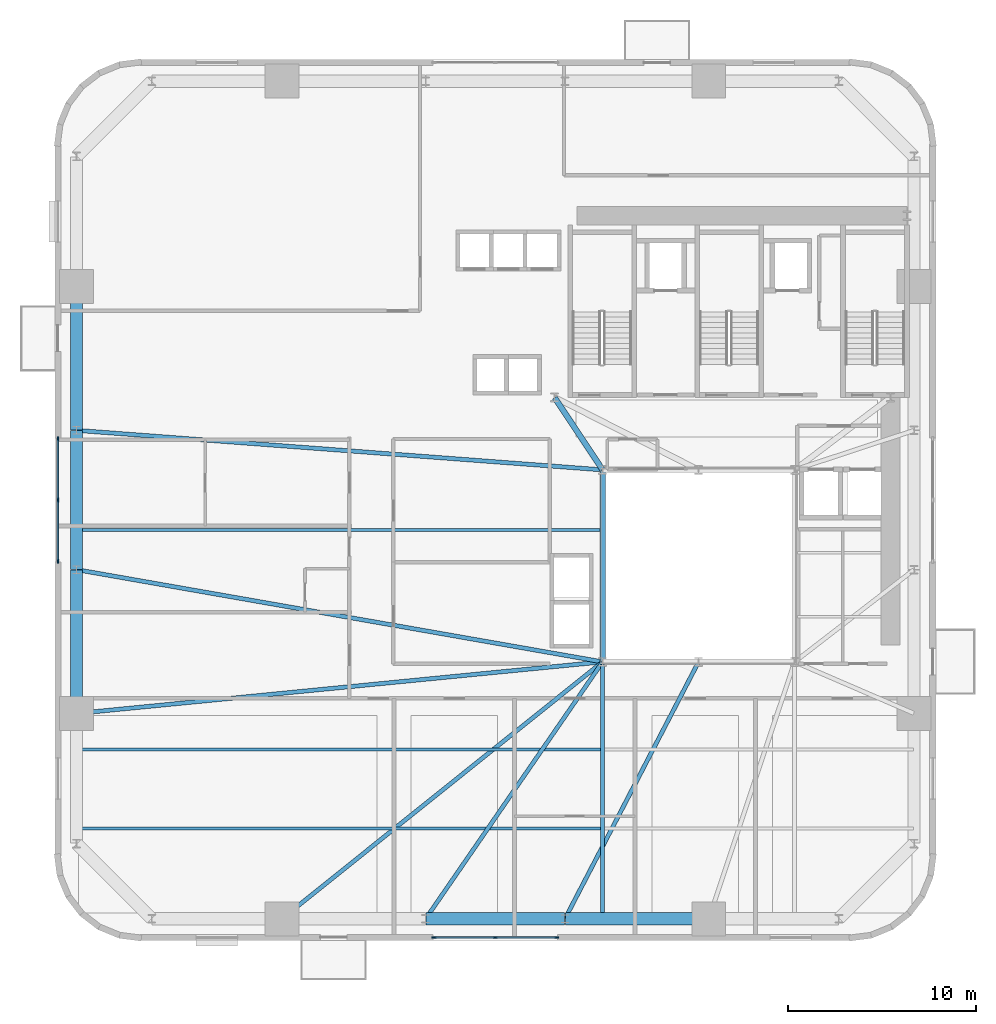
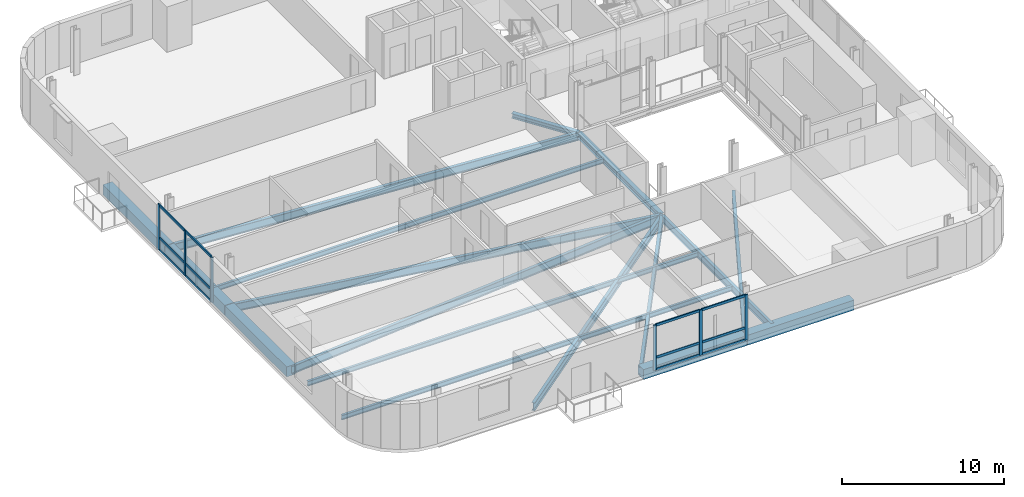
# One storey, part 2 of 13: 18 members, 17 beams, 2 elements without a shape of their own.
"""IFC4 building model written with IfcOpenShell, lengths in metres."""

from ifc_helpers import new_model, si_unit, direction, frame, origin, origin_2d, place, context, subcontext, project, spatial, rectangle, i_section, extrude, source, transform, mapped, material, material_profile, profile_set, type_object, element, aggregate, save


model = new_model("IFC4")

# Units and contexts
model_context = context("Model", 3, precision=1e-05, world=origin(), true_north=direction((0.0, 1.0)))
body_context = subcontext(model_context, "Body", "Model", "MODEL_VIEW")
ifc_project = project(units=[si_unit("LENGTHUNIT", "METRE"), si_unit("AREAUNIT", "SQUARE_METRE"), si_unit("VOLUMEUNIT", "CUBIC_METRE"), si_unit("PLANEANGLEUNIT", "RADIAN"), si_unit("MASSUNIT", "GRAM", prefix="KILO")], contexts=[model_context])

# Site, building, storey
site_placement = place(None, origin())
site = spatial("IfcSite", under=ifc_project, at=site_placement, CompositionType="ELEMENT")
building_placement = place(site_placement, origin())
building = spatial("IfcBuilding", under=site, at=building_placement, Name="Vardaveli Station Tower", CompositionType="ELEMENT")
storey_placement = place(building_placement, frame((0.0, 0.0, 31.25)))
storey = spatial("IfcBuildingStorey", under=building, at=storey_placement, Name="L07", CompositionType="ELEMENT", Elevation=31.25)

# Beams
ifc_material_1 = material(Name="Structural steel S355J2", Category="steel")
ifc_material_profile_1 = material_profile(ifc_material_1, i_section(OverallWidth=0.300048828125, OverallDepth=0.449951171875, WebThickness=0.013916015625, FlangeThickness=0.02587890625, FilletRadius=0.027099609375, at=origin_2d()), Name="HEB 450")
ifc_profile_set_1 = profile_set([ifc_material_profile_1], Name="Structural steel S355J2")
beam_type_1 = type_object("IfcBeamType", Name="BM-HEB450", PredefinedType="BEAM", material=ifc_profile_set_1)
shared_shape_1 = source(origin(), body_context, "Body", "SweptSolid", [
    extrude(i_section(OverallWidth=0.300048828125, OverallDepth=0.449951171875, WebThickness=0.013916015625, FlangeThickness=0.02587890625, FilletRadius=0.027099609375, at=origin_2d()), origin(), (0.0, 0.0, 1.0), 10.159912109375),
])
beam_1_placement = place(storey_placement, frame((31.199951171875, 26.780029296875, -0.465087890625), z_axis=(0.0, -1.0, 0.0), x_axis=(1.0, 0.0, 0.0)))
element("IfcBeam", 1, at=beam_1_placement, inside=storey, type_object=beam_type_1, Name="ABM-L07-06", PredefinedType="BEAM", context=body_context, shape_type="MappedRepresentation", body=[
    mapped(shared_shape_1, transform((0.0, 0.0, 0.0), scale=1.0)),
])
ifc_material_profile_2 = material_profile(ifc_material_1, i_section(OverallWidth=0.300048828125, OverallDepth=0.360107421875, WebThickness=0.012451171875, FlangeThickness=0.0224609375, FilletRadius=0.027099609375, at=origin_2d()), Name="HEB 360")
ifc_profile_set_2 = profile_set([ifc_material_profile_2], Name="Structural steel S355J2")
beam_type_2 = type_object("IfcBeamType", Name="BM-HEB360", PredefinedType="BEAM", material=ifc_profile_set_2)
shared_shape_2 = source(origin(), body_context, "Body", "SweptSolid", [
    extrude(i_section(OverallWidth=0.300048828125, OverallDepth=0.360107421875, WebThickness=0.012451171875, FlangeThickness=0.0224609375, FilletRadius=0.027099609375, at=origin_2d()), origin(), (0.0, 0.0, 1.0), 4.577880859375),
])
beam_2_placement = place(storey_placement, frame((31.18896484375, 26.816650390625, -0.419921875), z_axis=(-0.55218702139, 0.833720272879, 0.0), x_axis=(-0.833720272879, -0.55218702139, 0.0)))
element("IfcBeam", 2, at=beam_2_placement, inside=storey, type_object=beam_type_2, Name="CBM-L07-01", PredefinedType="BEAM", context=body_context, shape_type="MappedRepresentation", body=[
    mapped(shared_shape_2, transform((0.0, 0.0, 0.0), scale=1.0)),
])
ifc_material_2 = material(Name="Precast concrete C45/55", Category="concrete")
ifc_material_profile_3 = material_profile(ifc_material_2, rectangle(XDim=0.64990234375, YDim=0.75, at=origin_2d()), Name="LPB 650x750")
ifc_profile_set_3 = profile_set([ifc_material_profile_3], Name="Precast concrete C45/55")
beam_type_3 = type_object("IfcBeamType", Name="BM-LPB-750", PredefinedType="BEAM", material=ifc_profile_set_3)
shared_shape_3 = source(origin(), body_context, "Body", "SweptSolid", [
    extrude(rectangle(XDim=0.64990234375, YDim=0.75, at=origin_2d()), origin(), (0.0, 0.0, 1.0), 7.60009765625),
])
for number, where, z_axis, x_axis, name in (
    (3, (29.219970703125, 2.949951171875, -0.614990234375), (1.0, 0.0, 0.0), (0.0, 1.0, 0.0), "RBM-L07-03"),
    (4, (3.25, 36.52001953125, -0.614990234375), (0.0, -1.0, 0.0), (1.0, 0.0, 0.0), "RBM-L07-19"),
    (5, (3.25, 21.47998046875, -0.614990234375), (0.0, -1.0, 0.0), (1.0, 0.0, 0.0), "RBM-L07-21"),
):
    element("IfcBeam", number, at=place(storey_placement, frame(where, z_axis=z_axis, x_axis=x_axis)), inside=storey, type_object=beam_type_3, Name=name, PredefinedType="BEAM", context=body_context, shape_type="MappedRepresentation", body=[
        mapped(shared_shape_3, transform((0.0, 0.0, 0.0), scale=1.0)),
    ])
shared_shape_4 = source(origin(), body_context, "Body", "SweptSolid", [
    extrude(rectangle(XDim=0.64990234375, YDim=0.75, at=origin_2d()), origin(), (0.0, 0.0, 1.0), 7.35986328125),
])
for number, where, z_axis, x_axis, name in (
    (6, (21.820068359375, 2.949951171875, -0.614990234375), (1.0, 0.0, 0.0), (0.0, 1.0, 0.0), "RBM-L07-02"),
    (7, (3.25, 28.8798828125, -0.614990234375), (0.0, -1.0, 0.0), (1.0, 0.0, 0.0), "RBM-L07-20"),
):
    element("IfcBeam", number, at=place(storey_placement, frame(where, z_axis=z_axis, x_axis=x_axis)), inside=storey, type_object=beam_type_3, Name=name, PredefinedType="BEAM", context=body_context, shape_type="MappedRepresentation", body=[
        mapped(shared_shape_4, transform((0.0, 0.0, 0.0), scale=1.0)),
    ])
ifc_material_profile_4 = material_profile(ifc_material_1, i_section(OverallWidth=0.219970703125, OverallDepth=0.60009765625, WebThickness=0.011962890625, FlangeThickness=0.01904296875, FilletRadius=0.02392578125, at=origin_2d()), Name="IPE 600")
ifc_profile_set_4 = profile_set([ifc_material_profile_4], Name="Structural steel S355J2")
beam_type_4 = type_object("IfcBeamType", Name="BM-IPE600", PredefinedType="BEAM", material=ifc_profile_set_4)
shared_shape_5 = source(origin(), body_context, "Body", "SweptSolid", [
    extrude(i_section(OverallWidth=0.219970703125, OverallDepth=0.60009765625, WebThickness=0.011962890625, FlangeThickness=0.01904296875, FilletRadius=0.02392578125, at=origin_2d()), origin(), (0.0, 0.0, 1.0), 21.793212890625),
])
beam_3_placement = place(storey_placement, frame((14.175537109375, 2.96240234375, -0.5400390625), z_axis=(0.780466445023, 0.625197671296, 0.0), x_axis=(-0.625197671296, 0.780466445023, 0.0)))
element("IfcBeam", 8, at=beam_3_placement, inside=storey, type_object=beam_type_4, Name="GBM-L07-01", PredefinedType="BEAM", context=body_context, shape_type="MappedRepresentation", body=[
    mapped(shared_shape_5, transform((0.0, 0.0, 0.0), scale=1.0)),
])
shared_shape_6 = source(origin(), body_context, "Body", "SweptSolid", [
    extrude(i_section(OverallWidth=0.219970703125, OverallDepth=0.60009765625, WebThickness=0.011962890625, FlangeThickness=0.01904296875, FilletRadius=0.02392578125, at=origin_2d()), origin(), (0.0, 0.0, 1.0), 16.533447265625),
])
beam_4_placement = place(storey_placement, frame((21.811279296875, 2.966552734375, -0.5400390625), z_axis=(0.567177272103, 0.823595739431, 0.0), x_axis=(-0.823595739431, 0.567177272103, 0.0)))
element("IfcBeam", 9, at=beam_4_placement, inside=storey, type_object=beam_type_4, Name="GBM-L07-02", PredefinedType="BEAM", context=body_context, shape_type="MappedRepresentation", body=[
    mapped(shared_shape_6, transform((0.0, 0.0, 0.0), scale=1.0)),
])
shared_shape_7 = source(origin(), body_context, "Body", "SweptSolid", [
    extrude(i_section(OverallWidth=0.219970703125, OverallDepth=0.60009765625, WebThickness=0.011962890625, FlangeThickness=0.01904296875, FilletRadius=0.02392578125, at=origin_2d()), origin(), (0.0, 0.0, 1.0), 15.34619140625),
])
beam_5_placement = place(storey_placement, frame((29.209228515625, 2.9677734375, -0.5400390625), z_axis=(0.461455420507, 0.887163398075, 0.0), x_axis=(-0.887163398075, 0.461455420507, 0.0)))
element("IfcBeam", 10, at=beam_5_placement, inside=storey, type_object=beam_type_4, Name="GBM-L07-03", PredefinedType="BEAM", context=body_context, shape_type="MappedRepresentation", body=[
    mapped(shared_shape_7, transform((0.0, 0.0, 0.0), scale=1.0)),
])
shared_shape_8 = source(origin(), body_context, "Body", "SweptSolid", [
    extrude(i_section(OverallWidth=0.219970703125, OverallDepth=0.60009765625, WebThickness=0.011962890625, FlangeThickness=0.01904296875, FilletRadius=0.02392578125, at=origin_2d()), origin(), (0.0, 0.0, 1.0), 27.98876953125),
])
beam_6_placement = place(storey_placement, frame((3.27001953125, 28.8984375, -0.5400390625), z_axis=(0.99718954315, -0.074920057611, 0.0), x_axis=(0.074920057611, 0.99718954315, 0.0)))
element("IfcBeam", 11, at=beam_6_placement, inside=storey, type_object=beam_type_4, Name="GBM-L07-08", PredefinedType="BEAM", context=body_context, shape_type="MappedRepresentation", body=[
    mapped(shared_shape_8, transform((0.0, 0.0, 0.0), scale=1.0)),
])
shared_shape_9 = source(origin(), body_context, "Body", "SweptSolid", [
    extrude(i_section(OverallWidth=0.219970703125, OverallDepth=0.60009765625, WebThickness=0.011962890625, FlangeThickness=0.01904296875, FilletRadius=0.02392578125, at=origin_2d()), origin(), (0.0, 0.0, 1.0), 28.33642578125),
])
beam_7_placement = place(storey_placement, frame((3.269775390625, 21.49658203125, -0.5400390625), z_axis=(0.984978267336, -0.172678350921, 0.0), x_axis=(0.172678350921, 0.984978267336, 0.0)))
element("IfcBeam", 12, at=beam_7_placement, inside=storey, type_object=beam_type_4, Name="GBM-L07-09", PredefinedType="BEAM", context=body_context, shape_type="MappedRepresentation", body=[
    mapped(shared_shape_9, transform((0.0, 0.0, 0.0), scale=1.0)),
])
shared_shape_10 = source(origin(), body_context, "Body", "SweptSolid", [
    extrude(i_section(OverallWidth=0.219970703125, OverallDepth=0.60009765625, WebThickness=0.011962890625, FlangeThickness=0.01904296875, FilletRadius=0.02392578125, at=origin_2d()), origin(), (0.0, 0.0, 1.0), 28.0439453125),
])
beam_8_placement = place(storey_placement, frame((3.27001953125, 13.862060546875, -0.5400390625), z_axis=(0.995229237856, 0.097564153855, 0.0), x_axis=(-0.097564153855, 0.995229237856, 0.0)))
element("IfcBeam", 13, at=beam_8_placement, inside=storey, type_object=beam_type_4, Name="GBM-L07-10", PredefinedType="BEAM", context=body_context, shape_type="MappedRepresentation", body=[
    mapped(shared_shape_10, transform((0.0, 0.0, 0.0), scale=1.0)),
])
ifc_material_profile_5 = material_profile(ifc_material_1, i_section(OverallWidth=0.2099609375, OverallDepth=0.550048828125, WebThickness=0.010986328125, FlangeThickness=0.01708984375, FilletRadius=0.02392578125, at=origin_2d()), Name="IPE 550")
ifc_profile_set_5 = profile_set([ifc_material_profile_5], Name="Structural steel S355J2")
beam_type_5 = type_object("IfcBeamType", Name="BM-IPE550", PredefinedType="BEAM", material=ifc_profile_set_5)
shared_shape_11 = source(origin(), body_context, "Body", "SweptSolid", [
    extrude(i_section(OverallWidth=0.2099609375, OverallDepth=0.550048828125, WebThickness=0.010986328125, FlangeThickness=0.01708984375, FilletRadius=0.02392578125, at=origin_2d()), origin(), (0.0, 0.0, 1.0), 13.469970703125),
])
beam_9_placement = place(storey_placement, frame((31.199951171875, 2.989990234375, -0.514892578125), z_axis=(0.0, 1.0, 0.0), x_axis=(-1.0, 0.0, 0.0)))
element("IfcBeam", 14, at=beam_9_placement, inside=storey, type_object=beam_type_5, Name="NSM-L07-S1", PredefinedType="BEAM", context=body_context, shape_type="MappedRepresentation", body=[
    mapped(shared_shape_11, transform((0.0, 0.0, 0.0), scale=1.0)),
])
ifc_material_profile_6 = material_profile(ifc_material_1, i_section(OverallWidth=0.169921875, OverallDepth=0.360107421875, WebThickness=0.008056640625, FlangeThickness=0.0126953125, FilletRadius=0.01806640625, at=origin_2d()), Name="IPE 360")
ifc_profile_set_6 = profile_set([ifc_material_profile_6], Name="Structural steel S355J2")
beam_type_6 = type_object("IfcBeamType", Name="BM-IPE360", PredefinedType="JOIST", material=ifc_profile_set_6)
shared_shape_12 = source(origin(), body_context, "Body", "SweptSolid", [
    extrude(i_section(OverallWidth=0.169921875, OverallDepth=0.360107421875, WebThickness=0.008056640625, FlangeThickness=0.0126953125, FilletRadius=0.01806640625, at=origin_2d()), origin(), (0.0, 0.0, 1.0), 27.7978515625),
])
for number, where, z_axis, x_axis, name in (
    (15, (3.2900390625, 7.75, -0.419921875), (1.0, 0.0, 0.0), (0.0, 1.0, 0.0), "SJ-L07-S01"),
    (16, (3.2900390625, 11.949951171875, -0.419921875), (1.0, 0.0, 0.0), (0.0, 1.0, 0.0), "SJ-L07-S04"),
    (17, (3.2900390625, 23.60009765625, -0.419921875), (1.0, 0.0, 0.0), (0.0, 1.0, 0.0), "SJ-L07-W08"),
):
    element("IfcBeam", number, at=place(storey_placement, frame(where, z_axis=z_axis, x_axis=x_axis)), inside=storey, type_object=beam_type_6, Name=name, PredefinedType="JOIST", context=body_context, shape_type="MappedRepresentation", body=[
        mapped(shared_shape_12, transform((0.0, 0.0, 0.0), scale=1.0)),
    ])

# Curtain wall, members
ifc_material_3 = material(Name="Travertine stone and solar-control glass", Category="masonry")
curtain_wall_type = type_object("IfcCurtainWallType", Name="CW-SYS-2", PredefinedType="NOTDEFINED", material=ifc_material_3)
curtain_wall_1_placement = place(storey_placement, origin())
curtain_wall_1 = element("IfcCurtainWall", 18, at=curtain_wall_1_placement, inside=storey, type_object=curtain_wall_type, Name="CW-L07-S", PredefinedType="NOTDEFINED")
ifc_material_4 = material(Name="Anodised aluminium alloy 6063-T6", Category="aluminium")
ifc_material_profile_7 = material_profile(ifc_material_4, rectangle(XDim=0.0849609375, YDim=0.219970703125, at=origin_2d()), Name="CWM 85x220")
ifc_profile_set_7 = profile_set([ifc_material_profile_7], Name="Anodised aluminium alloy 6063-T6")
member_type_1 = type_object("IfcMemberType", Name="CW-SYS-2-MULL", PredefinedType="MULLION", material=ifc_profile_set_7)
shared_shape_13 = source(origin(), body_context, "Body", "SweptSolid", [
    extrude(rectangle(XDim=0.0849609375, YDim=0.219970703125, at=origin_2d()), origin(), (0.0, 0.0, 1.0), 3.409912109375),
])
member_1_placement = place(storey_placement, frame((22.242431640625, 1.9599609375, 0.0), z_axis=(0.0, 0.0, 1.0), x_axis=(0.0, 1.0, 0.0)))
member_1 = element("IfcMember", 19, at=member_1_placement, type_object=member_type_1, Name="CW-2 mullion 1", PredefinedType="MULLION", context=body_context, shape_type="MappedRepresentation", body=[
    mapped(shared_shape_13, transform((0.0, 0.0, 0.0), scale=1.0)),
])
member_2_placement = place(storey_placement, frame((25.5, 1.9599609375, 0.0), z_axis=(0.0, 0.0, 1.0), x_axis=(0.0, 1.0, 0.0)))
member_2 = element("IfcMember", 20, at=member_2_placement, type_object=member_type_1, Name="CW-2 mullion 2", PredefinedType="MULLION", context=body_context, shape_type="MappedRepresentation", body=[
    mapped(shared_shape_13, transform((0.0, 0.0, 0.0), scale=1.0)),
])
member_3_placement = place(storey_placement, frame((28.757568359375, 1.9599609375, 0.0), z_axis=(0.0, 0.0, 1.0), x_axis=(0.0, 1.0, 0.0)))
member_3 = element("IfcMember", 21, at=member_3_placement, type_object=member_type_1, Name="CW-2 mullion 3", PredefinedType="MULLION", context=body_context, shape_type="MappedRepresentation", body=[
    mapped(shared_shape_13, transform((0.0, 0.0, 0.0), scale=1.0)),
])

curtain_wall_2_placement = place(storey_placement, origin())
curtain_wall_2 = element("IfcCurtainWall", 22, at=curtain_wall_2_placement, inside=storey, type_object=curtain_wall_type, Name="CW-L07-W", PredefinedType="NOTDEFINED")
member_4_placement = place(storey_placement, frame((2.260009765625, 28.45751953125, 0.0), z_axis=(0.0, 0.0, 1.0), x_axis=(1.0, 0.0, 0.0)))
member_4 = element("IfcMember", 23, at=member_4_placement, type_object=member_type_1, Name="CW-2 mullion 1", PredefinedType="MULLION", context=body_context, shape_type="MappedRepresentation", body=[
    mapped(shared_shape_13, transform((0.0, 0.0, 0.0), scale=1.0)),
])
member_5_placement = place(storey_placement, frame((2.260009765625, 25.199951171875, 0.0), z_axis=(0.0, 0.0, 1.0), x_axis=(1.0, 0.0, 0.0)))
member_5 = element("IfcMember", 24, at=member_5_placement, type_object=member_type_1, Name="CW-2 mullion 2", PredefinedType="MULLION", context=body_context, shape_type="MappedRepresentation", body=[
    mapped(shared_shape_13, transform((0.0, 0.0, 0.0), scale=1.0)),
])
member_6_placement = place(storey_placement, frame((2.260009765625, 21.9423828125, 0.0), z_axis=(0.0, 0.0, 1.0), x_axis=(1.0, 0.0, 0.0)))
member_6 = element("IfcMember", 25, at=member_6_placement, type_object=member_type_1, Name="CW-2 mullion 3", PredefinedType="MULLION", context=body_context, shape_type="MappedRepresentation", body=[
    mapped(shared_shape_13, transform((0.0, 0.0, 0.0), scale=1.0)),
])

# Member
ifc_material_profile_8 = material_profile(ifc_material_4, rectangle(XDim=0.0849609375, YDim=0.179931640625, at=origin_2d()), Name="CWT 85x180")
ifc_profile_set_8 = profile_set([ifc_material_profile_8], Name="Anodised aluminium alloy 6063-T6")
member_type_2 = type_object("IfcMemberType", Name="CW-SYS-2-TRAN", PredefinedType="NOTDEFINED", material=ifc_profile_set_8)
shared_shape_14 = source(origin(), body_context, "Body", "SweptSolid", [
    extrude(rectangle(XDim=0.0849609375, YDim=0.179931640625, at=origin_2d()), origin(), (0.0, 0.0, 1.0), 3.172607421875),
])
member_7_placement = place(storey_placement, frame((22.284912109375, 1.9599609375, 0.04248046875), z_axis=(1.0, 0.0, 0.0), x_axis=(0.0, 1.0, 0.0)))
member_7 = element("IfcMember", 26, at=member_7_placement, type_object=member_type_2, Name="CW-2 transom 1.1", ObjectType="TRANSOM", PredefinedType="USERDEFINED", context=body_context, shape_type="MappedRepresentation", body=[
    mapped(shared_shape_14, transform((0.0, 0.0, 0.0), scale=1.0)),
])

member_8_placement = place(storey_placement, frame((22.284912109375, 1.9599609375, 0.949951171875), z_axis=(1.0, 0.0, 0.0), x_axis=(0.0, 1.0, 0.0)))
member_8 = element("IfcMember", 27, at=member_8_placement, type_object=member_type_2, Name="CW-2 transom 1.2", ObjectType="TRANSOM", PredefinedType="USERDEFINED", context=body_context, shape_type="MappedRepresentation", body=[
    mapped(shared_shape_14, transform((0.0, 0.0, 0.0), scale=1.0)),
])

member_9_placement = place(storey_placement, frame((22.284912109375, 1.9599609375, 3.367431640625), z_axis=(1.0, 0.0, 0.0), x_axis=(0.0, 1.0, 0.0)))
member_9 = element("IfcMember", 28, at=member_9_placement, type_object=member_type_2, Name="CW-2 transom 1.3", ObjectType="TRANSOM", PredefinedType="USERDEFINED", context=body_context, shape_type="MappedRepresentation", body=[
    mapped(shared_shape_14, transform((0.0, 0.0, 0.0), scale=1.0)),
])

member_10_placement = place(storey_placement, frame((25.54248046875, 1.9599609375, 0.04248046875), z_axis=(1.0, 0.0, 0.0), x_axis=(0.0, 1.0, 0.0)))
member_10 = element("IfcMember", 29, at=member_10_placement, type_object=member_type_2, Name="CW-2 transom 2.1", ObjectType="TRANSOM", PredefinedType="USERDEFINED", context=body_context, shape_type="MappedRepresentation", body=[
    mapped(shared_shape_14, transform((0.0, 0.0, 0.0), scale=1.0)),
])

member_11_placement = place(storey_placement, frame((25.54248046875, 1.9599609375, 0.949951171875), z_axis=(1.0, 0.0, 0.0), x_axis=(0.0, 1.0, 0.0)))
member_11 = element("IfcMember", 30, at=member_11_placement, type_object=member_type_2, Name="CW-2 transom 2.2", ObjectType="TRANSOM", PredefinedType="USERDEFINED", context=body_context, shape_type="MappedRepresentation", body=[
    mapped(shared_shape_14, transform((0.0, 0.0, 0.0), scale=1.0)),
])

member_12_placement = place(storey_placement, frame((25.54248046875, 1.9599609375, 3.367431640625), z_axis=(1.0, 0.0, 0.0), x_axis=(0.0, 1.0, 0.0)))
member_12 = element("IfcMember", 31, at=member_12_placement, type_object=member_type_2, Name="CW-2 transom 2.3", ObjectType="TRANSOM", PredefinedType="USERDEFINED", context=body_context, shape_type="MappedRepresentation", body=[
    mapped(shared_shape_14, transform((0.0, 0.0, 0.0), scale=1.0)),
])

aggregate(curtain_wall_1, [member_1, member_2, member_3, member_7, member_8, member_9, member_10, member_11, member_12])

member_13_placement = place(storey_placement, frame((2.260009765625, 28.4150390625, 0.04248046875), z_axis=(0.0, -1.0, 0.0), x_axis=(1.0, 0.0, 0.0)))
member_13 = element("IfcMember", 32, at=member_13_placement, type_object=member_type_2, Name="CW-2 transom 1.1", ObjectType="TRANSOM", PredefinedType="USERDEFINED", context=body_context, shape_type="MappedRepresentation", body=[
    mapped(shared_shape_14, transform((0.0, 0.0, 0.0), scale=1.0)),
])

member_14_placement = place(storey_placement, frame((2.260009765625, 28.4150390625, 0.949951171875), z_axis=(0.0, -1.0, 0.0), x_axis=(1.0, 0.0, 0.0)))
member_14 = element("IfcMember", 33, at=member_14_placement, type_object=member_type_2, Name="CW-2 transom 1.2", ObjectType="TRANSOM", PredefinedType="USERDEFINED", context=body_context, shape_type="MappedRepresentation", body=[
    mapped(shared_shape_14, transform((0.0, 0.0, 0.0), scale=1.0)),
])

member_15_placement = place(storey_placement, frame((2.260009765625, 28.4150390625, 3.367431640625), z_axis=(0.0, -1.0, 0.0), x_axis=(1.0, 0.0, 0.0)))
member_15 = element("IfcMember", 34, at=member_15_placement, type_object=member_type_2, Name="CW-2 transom 1.3", ObjectType="TRANSOM", PredefinedType="USERDEFINED", context=body_context, shape_type="MappedRepresentation", body=[
    mapped(shared_shape_14, transform((0.0, 0.0, 0.0), scale=1.0)),
])

shared_shape_15 = source(origin(), body_context, "Body", "SweptSolid", [
    extrude(rectangle(XDim=0.0849609375, YDim=0.179931640625, at=origin_2d()), origin(), (0.0, 0.0, 1.0), 3.17236328125),
])
member_16_placement = place(storey_placement, frame((2.260009765625, 25.157470703125, 0.04248046875), z_axis=(0.0, -1.0, 0.0), x_axis=(1.0, 0.0, 0.0)))
member_16 = element("IfcMember", 35, at=member_16_placement, type_object=member_type_2, Name="CW-2 transom 2.1", ObjectType="TRANSOM", PredefinedType="USERDEFINED", context=body_context, shape_type="MappedRepresentation", body=[
    mapped(shared_shape_15, transform((0.0, 0.0, 0.0), scale=1.0)),
])

member_17_placement = place(storey_placement, frame((2.260009765625, 25.157470703125, 0.949951171875), z_axis=(0.0, -1.0, 0.0), x_axis=(1.0, 0.0, 0.0)))
member_17 = element("IfcMember", 36, at=member_17_placement, type_object=member_type_2, Name="CW-2 transom 2.2", ObjectType="TRANSOM", PredefinedType="USERDEFINED", context=body_context, shape_type="MappedRepresentation", body=[
    mapped(shared_shape_15, transform((0.0, 0.0, 0.0), scale=1.0)),
])

member_18_placement = place(storey_placement, frame((2.260009765625, 25.157470703125, 3.367431640625), z_axis=(0.0, -1.0, 0.0), x_axis=(1.0, 0.0, 0.0)))
member_18 = element("IfcMember", 37, at=member_18_placement, type_object=member_type_2, Name="CW-2 transom 2.3", ObjectType="TRANSOM", PredefinedType="USERDEFINED", context=body_context, shape_type="MappedRepresentation", body=[
    mapped(shared_shape_15, transform((0.0, 0.0, 0.0), scale=1.0)),
])

aggregate(curtain_wall_2, [member_4, member_5, member_6, member_13, member_14, member_15, member_16, member_17, member_18])

save(model, "model.ifc")
